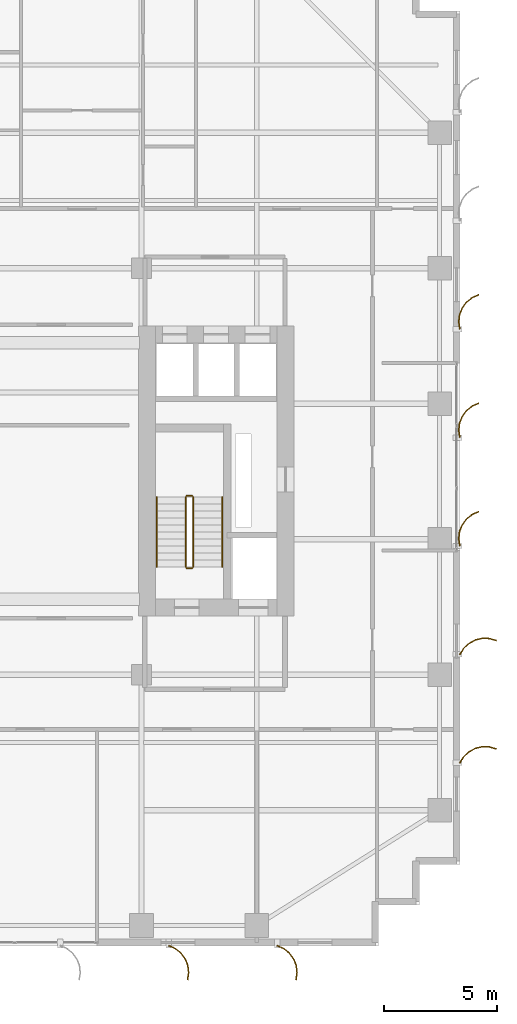
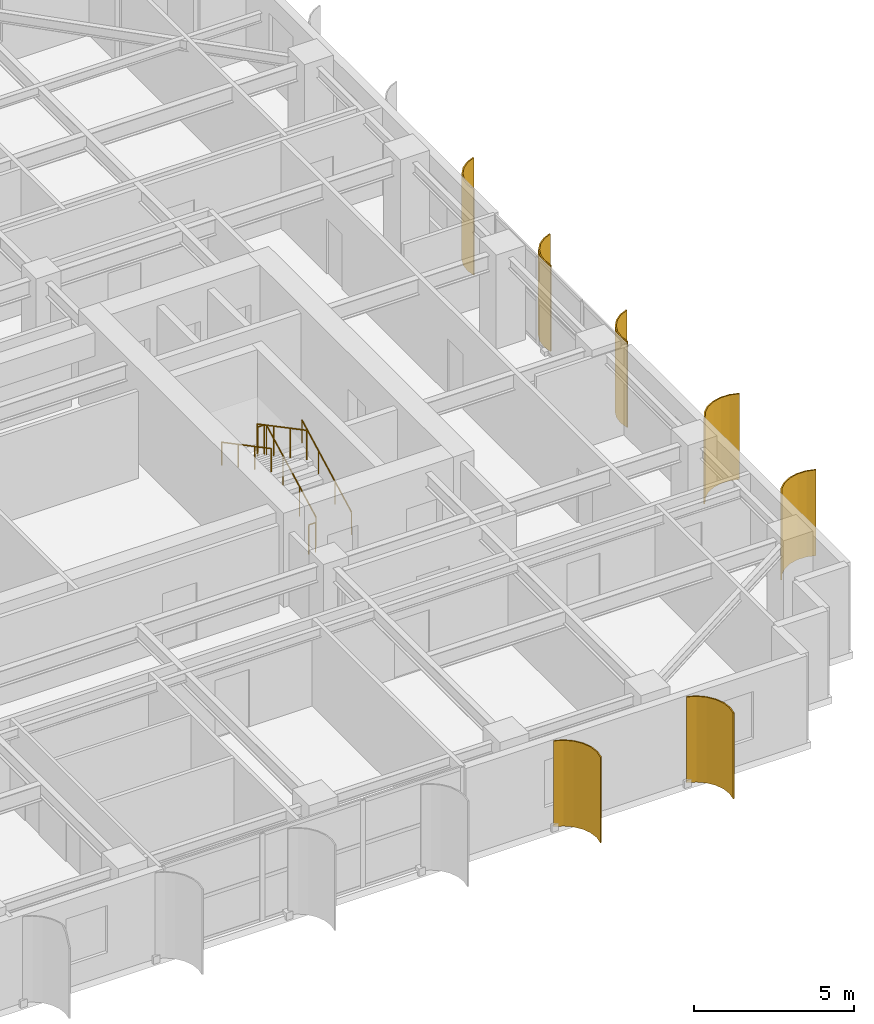
# One storey, part 20 of 21: 7 shading devices, 6 railings.
"""IFC4 building model written with IfcOpenShell, lengths in metres."""

from ifc_helpers import new_model, si_unit, direction, frame, origin, origin_2d, place, context, subcontext, project, spatial, polyline, circle, outline, extrude, source, transform, mapped, material, layer, layer_set, type_object, element, save


model = new_model("IFC4")

# Units and contexts
model_context = context("Model", 3, precision=1e-05, world=origin(), true_north=direction((0.0, 1.0)))
body_context = subcontext(model_context, "Body", "Model", "MODEL_VIEW")
ifc_project = project(units=[si_unit("LENGTHUNIT", "METRE"), si_unit("AREAUNIT", "SQUARE_METRE"), si_unit("VOLUMEUNIT", "CUBIC_METRE"), si_unit("PLANEANGLEUNIT", "RADIAN"), si_unit("MASSUNIT", "GRAM", prefix="KILO")], contexts=[model_context])

# Site, building, storey
site_placement = place(None, origin())
site = spatial("IfcSite", under=ifc_project, at=site_placement, CompositionType="ELEMENT")
building_placement = place(site_placement, origin())
building = spatial("IfcBuilding", under=site, at=building_placement, Name="Khoralis Quay Care Tower", CompositionType="ELEMENT")
storey_placement = place(building_placement, frame((0.0, 0.0, 112.5)))
storey = spatial("IfcBuildingStorey", under=building, at=storey_placement, Name="L29", CompositionType="ELEMENT", Elevation=112.5)

# Railings
ifc_material_1 = material(Name="Brushed stainless steel", Category="steel")
railing_type_1 = type_object("IfcRailingType", Name="RL-GUARD-1150", PredefinedType="GUARDRAIL", material=ifc_material_1)
railing_1_placement = place(storey_placement, frame((33.18994140625, 16.77001953125, 0.16357421875)))
element("IfcRailing", 1, at=railing_1_placement, inside=storey, type_object=railing_type_1, Name="L29 ST-T2 stair guard 1", PredefinedType="GUARDRAIL", context=body_context, shape_type="SweptSolid", body=[
    extrude(circle(Radius=0.02392578125, at=origin_2d()), frame((0.0, 0.0, 1.1259765625), z_axis=(0.0, 0.884348015382, 0.466828220752), x_axis=(-1.0, 0.0, 0.0)), (0.0, 0.0, 1.0), 3.505615234375),
    extrude(circle(Radius=0.02099609375, at=origin_2d()), origin(), (0.0, 0.0, 1.0), 1.101806640625),
    extrude(circle(Radius=0.02099609375, at=origin_2d()), frame((0.0, 1.033447265625, 0.54541015625)), (0.0, 0.0, 1.0), 1.101806640625),
    extrude(circle(Radius=0.02099609375, at=origin_2d()), frame((0.0, 2.066650390625, 1.091064453125)), (0.0, 0.0, 1.0), 1.101806640625),
    extrude(circle(Radius=0.02099609375, at=origin_2d()), frame((0.0, 3.10009765625, 1.636474609375)), (0.0, 0.0, 1.0), 1.101806640625),
])
railing_2_placement = place(storey_placement, frame((33.139892578125, 19.919921875, 1.800048828125)))
element("IfcRailing", 2, at=railing_2_placement, inside=storey, type_object=railing_type_1, Name="L29 ST-T2 stair guard 2", PredefinedType="GUARDRAIL", context=body_context, shape_type="SweptSolid", body=[
    extrude(circle(Radius=0.02392578125, at=origin_2d()), frame((0.0, 0.0, 1.1259765625), z_axis=(-1.0, 0.0, 0.0), x_axis=(0.0, -1.0, 0.0)), (0.0, 0.0, 1.0), 0.239990234375),
    extrude(circle(Radius=0.02099609375, at=origin_2d()), origin(), (0.0, 0.0, 1.0), 1.101806640625),
    extrude(circle(Radius=0.02099609375, at=origin_2d()), frame((-0.239990234375, 0.0, 0.0)), (0.0, 0.0, 1.0), 1.101806640625),
])
railing_3_placement = place(storey_placement, frame((32.85009765625, 19.8701171875, 1.963623046875)))
element("IfcRailing", 3, at=railing_3_placement, inside=storey, type_object=railing_type_1, Name="L29 ST-T2 stair guard 3", PredefinedType="GUARDRAIL", context=body_context, shape_type="SweptSolid", body=[
    extrude(circle(Radius=0.02392578125, at=origin_2d()), frame((0.0, 0.0, 1.1259765625), z_axis=(0.0, -0.884348015382, 0.466828220752), x_axis=(1.0, 0.0, 0.0)), (0.0, 0.0, 1.0), 3.505615234375),
    extrude(circle(Radius=0.02099609375, at=origin_2d()), origin(), (0.0, 0.0, 1.0), 1.101806640625),
    extrude(circle(Radius=0.02099609375, at=origin_2d()), frame((0.0, -1.033447265625, 0.54541015625)), (0.0, 0.0, 1.0), 1.101806640625),
    extrude(circle(Radius=0.02099609375, at=origin_2d()), frame((0.0, -2.066650390625, 1.091064453125)), (0.0, 0.0, 1.0), 1.101806640625),
    extrude(circle(Radius=0.02099609375, at=origin_2d()), frame((0.0, -3.10009765625, 1.636474609375)), (0.0, 0.0, 1.0), 1.101806640625),
])
railing_4_placement = place(storey_placement, frame((33.139892578125, 16.719970703125, 0.0)))
element("IfcRailing", 4, at=railing_4_placement, inside=storey, type_object=railing_type_1, Name="L29 ST-T2 stair guard 4", PredefinedType="GUARDRAIL", context=body_context, shape_type="SweptSolid", body=[
    extrude(circle(Radius=0.02392578125, at=origin_2d()), frame((0.0, 0.0, 1.1259765625), z_axis=(-1.0, 0.0, 0.0), x_axis=(0.0, -1.0, 0.0)), (0.0, 0.0, 1.0), 0.239990234375),
    extrude(circle(Radius=0.02099609375, at=origin_2d()), origin(), (0.0, 0.0, 1.0), 1.101806640625),
    extrude(circle(Radius=0.02099609375, at=origin_2d()), frame((-0.239990234375, 0.0, 0.0)), (0.0, 0.0, 1.0), 1.101806640625),
])
railing_type_2 = type_object("IfcRailingType", Name="RL-HAND-900", PredefinedType="HANDRAIL", material=ifc_material_1)
railing_5_placement = place(storey_placement, frame((34.469970703125, 16.77001953125, 0.16357421875)))
element("IfcRailing", 5, at=railing_5_placement, inside=storey, type_object=railing_type_2, Name="L29 ST-T2 stair handrail 1", PredefinedType="HANDRAIL", context=body_context, shape_type="SweptSolid", body=[
    extrude(circle(Radius=0.02392578125, at=origin_2d()), frame((0.0, 0.0, 0.8759765625), z_axis=(0.0, 0.884348015382, 0.466828220752), x_axis=(-1.0, 0.0, 0.0)), (0.0, 0.0, 1.0), 3.505615234375),
    extrude(circle(Radius=0.02099609375, at=origin_2d()), origin(), (0.0, 0.0, 1.0), 0.851806640625),
    extrude(circle(Radius=0.02099609375, at=origin_2d()), frame((0.0, 1.033447265625, 0.54541015625)), (0.0, 0.0, 1.0), 0.851806640625),
    extrude(circle(Radius=0.02099609375, at=origin_2d()), frame((0.0, 2.066650390625, 1.091064453125)), (0.0, 0.0, 1.0), 0.851806640625),
    extrude(circle(Radius=0.02099609375, at=origin_2d()), frame((0.0, 3.10009765625, 1.636474609375)), (0.0, 0.0, 1.0), 0.851806640625),
])
railing_6_placement = place(storey_placement, frame((31.570068359375, 19.8701171875, 1.963623046875)))
element("IfcRailing", 6, at=railing_6_placement, inside=storey, type_object=railing_type_2, Name="L29 ST-T2 stair handrail 2", PredefinedType="HANDRAIL", context=body_context, shape_type="SweptSolid", body=[
    extrude(circle(Radius=0.02392578125, at=origin_2d()), frame((0.0, 0.0, 0.8759765625), z_axis=(0.0, -0.884348015382, 0.466828220752), x_axis=(1.0, 0.0, 0.0)), (0.0, 0.0, 1.0), 3.505615234375),
    extrude(circle(Radius=0.02099609375, at=origin_2d()), origin(), (0.0, 0.0, 1.0), 0.851806640625),
    extrude(circle(Radius=0.02099609375, at=origin_2d()), frame((0.0, -1.033447265625, 0.54541015625)), (0.0, 0.0, 1.0), 0.851806640625),
    extrude(circle(Radius=0.02099609375, at=origin_2d()), frame((0.0, -2.066650390625, 1.091064453125)), (0.0, 0.0, 1.0), 0.851806640625),
    extrude(circle(Radius=0.02099609375, at=origin_2d()), frame((0.0, -3.10009765625, 1.636474609375)), (0.0, 0.0, 1.0), 0.851806640625),
])

# Shading devices
ifc_material_2 = material(Name="Brushed pale anodised aluminium", Category="aluminium")
ifc_layer = layer(ifc_material_2, 0.044921875)
ifc_layer_set = layer_set([ifc_layer], Name="Brushed pale anodised aluminium")
shading_device_type = type_object("IfcShadingDeviceType", Name="SHD-FIN-1250", PredefinedType="USERDEFINED", material=ifc_layer_set)
shared_shape_1 = source(origin(), body_context, "Body", "SweptSolid", [
    extrude(outline(polyline([(0.0, 0.0), (0.17041015625, 0.2783203125), (0.4072265625, 0.5029296875), (0.694091796875, 0.658447265625), (1.01123046875, 0.734619140625), (1.33740234375, 0.72607421875), (1.650390625, 0.633544921875), (1.632080078125, 0.59228515625), (1.330322265625, 0.681640625), (1.015869140625, 0.68994140625), (0.710205078125, 0.616455078125), (0.43359375, 0.466552734375), (0.20556640625, 0.25), (0.041015625, -0.018310546875), (0.0, 0.0)])), origin(), (0.0, 0.0, 1.0), 3.280029296875),
])
for number, where, z_axis, x_axis, name in (
    (7, (44.969970703125, 8.10009765625, 0.02001953125), (0.0, 0.0, 1.0), (1.0, 0.0, 0.0), "L29 Curved Solar Fin P1E5-01"),
    (8, (44.969970703125, 12.89990234375, 0.02001953125), (0.0, 0.0, 1.0), (1.0, 0.0, 0.0), "L29 Curved Solar Fin P1E5-02"),
):
    element("IfcShadingDevice", number, at=place(storey_placement, frame(where, z_axis=z_axis, x_axis=x_axis)), inside=storey, type_object=shading_device_type, Name=name, ObjectType="FIN", PredefinedType="USERDEFINED", context=body_context, shape_type="MappedRepresentation", body=[
        mapped(shared_shape_1, transform((0.0, 0.0, 0.0), scale=1.0)),
    ])
shared_shape_2 = source(origin(), body_context, "Body", "SweptSolid", [
    extrude(outline(polyline([(0.0, 0.0), (-0.04833984375, 0.32275390625), (-0.01123046875, 0.64697265625), (0.1083984375, 0.950439453125), (0.302490234375, 1.212890625), (0.557861328125, 1.416015625), (0.85693359375, 1.546142578125), (0.869384765625, 1.5029296875), (0.5810546875, 1.37744140625), (0.334716796875, 1.181640625), (0.147705078125, 0.9287109375), (0.032470703125, 0.635986328125), (-0.003173828125, 0.323486328125), (0.043212890625, 0.012451171875), (0.0, 0.0)])), origin(), (0.0, 0.0, 1.0), 3.280029296875),
])
for number, where, z_axis, x_axis, name in (
    (9, (44.969970703125, 17.699951171875, 0.02001953125), (0.0, 0.0, 1.0), (1.0, 0.0, 0.0), "L29 Curved Solar Fin P1E5-03"),
    (10, (44.969970703125, 22.5, 0.02001953125), (0.0, 0.0, 1.0), (1.0, 0.0, 0.0), "L29 Curved Solar Fin P1E5-04"),
    (11, (44.969970703125, 27.300048828125, 0.02001953125), (0.0, 0.0, 1.0), (1.0, 0.0, 0.0), "L29 Curved Solar Fin P1E5-05"),
):
    element("IfcShadingDevice", number, at=place(storey_placement, frame(where, z_axis=z_axis, x_axis=x_axis)), inside=storey, type_object=shading_device_type, Name=name, ObjectType="FIN", PredefinedType="USERDEFINED", context=body_context, shape_type="MappedRepresentation", body=[
        mapped(shared_shape_2, transform((0.0, 0.0, 0.0), scale=1.0)),
    ])
shared_shape_3 = source(origin(), body_context, "Body", "SweptSolid", [
    extrude(outline(polyline([(0.0, 0.0), (0.130126953125, 0.29931640625), (0.333251953125, 0.5546875), (0.595458984375, 0.748779296875), (0.899169921875, 0.868408203125), (1.223388671875, 0.9052734375), (1.546142578125, 0.85693359375), (1.53369140625, 0.813720703125), (1.22265625, 0.8603515625), (0.91015625, 0.82470703125), (0.617431640625, 0.70947265625), (0.364501953125, 0.522216796875), (0.168701171875, 0.276123046875), (0.043212890625, -0.012451171875), (0.0, 0.0)])), origin(), (0.0, 0.0, 1.0), 3.280029296875),
])
for number, where, z_axis, x_axis, name in (
    (12, (32.10009765625, 0.030029296875, 0.02001953125), (0.0, 0.0, 1.0), (0.0, -1.0, 0.0), "L29 Curved Solar Fin P1E0-06"),
    (13, (36.89990234375, 0.030029296875, 0.02001953125), (0.0, 0.0, 1.0), (0.0, -1.0, 0.0), "L29 Curved Solar Fin P1E0-07"),
):
    element("IfcShadingDevice", number, at=place(storey_placement, frame(where, z_axis=z_axis, x_axis=x_axis)), inside=storey, type_object=shading_device_type, Name=name, ObjectType="FIN", PredefinedType="USERDEFINED", context=body_context, shape_type="MappedRepresentation", body=[
        mapped(shared_shape_3, transform((0.0, 0.0, 0.0), scale=1.0)),
    ])

save(model, "model.ifc")
